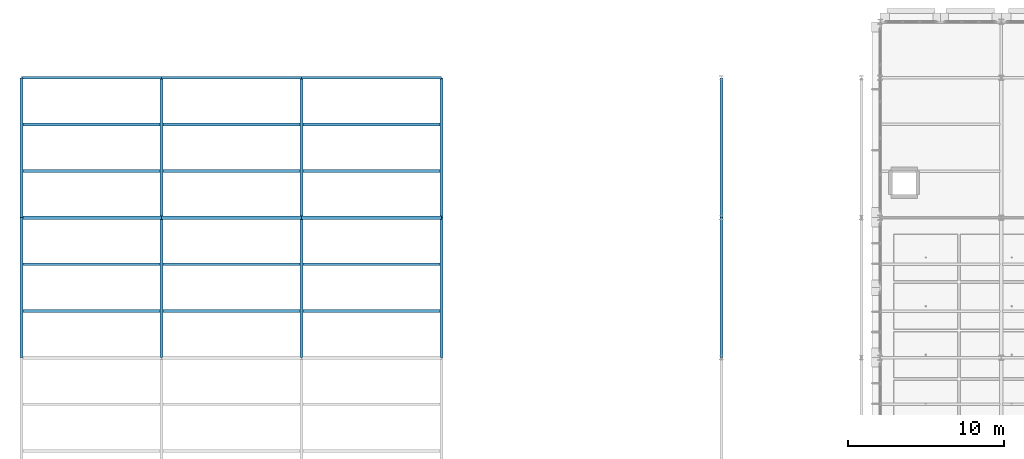
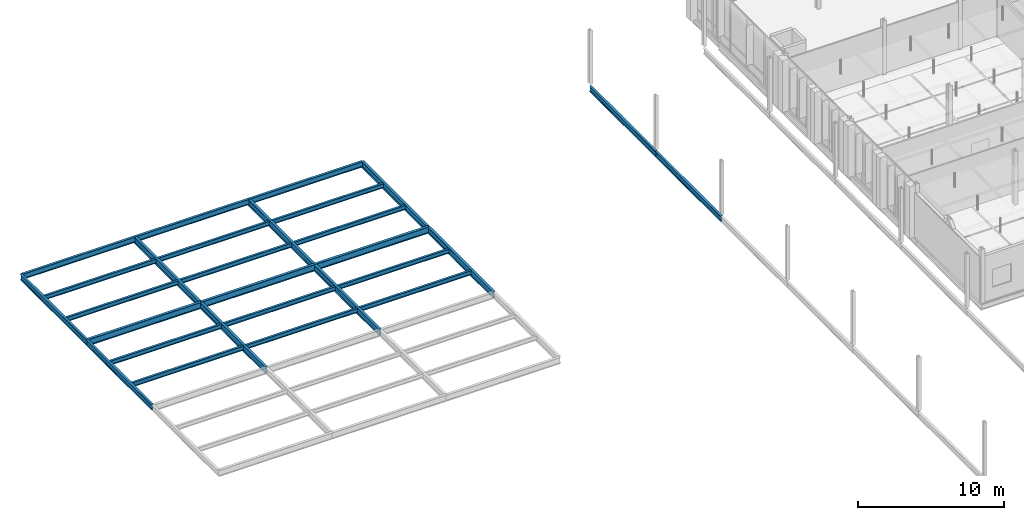
# One storey, part 33 of 130: 28 beams.
"""IFC4 building model written with IfcOpenShell, lengths in metres."""

from ifc_helpers import new_model, si_unit, direction, frame, origin, origin_2d, place, context, subcontext, project, spatial, i_section, extrude, material, material_profile, profile_set, type_object, element, save


model = new_model("IFC4")

# Units and contexts
model_context = context("Model", 3, precision=1e-05, world=origin(), true_north=direction((0.0, 1.0)))
body_context = subcontext(model_context, "Body", "Model", "MODEL_VIEW")
ifc_project = project(units=[si_unit("LENGTHUNIT", "METRE"), si_unit("AREAUNIT", "SQUARE_METRE"), si_unit("VOLUMEUNIT", "CUBIC_METRE"), si_unit("PLANEANGLEUNIT", "RADIAN"), si_unit("MASSUNIT", "GRAM", prefix="KILO"), si_unit("THERMODYNAMICTEMPERATUREUNIT", "KELVIN"), si_unit("POWERUNIT", "WATT")], contexts=[model_context])

# Site, building, storey
site_placement = place(None, origin())
site = spatial("IfcSite", under=ifc_project, at=site_placement, CompositionType="ELEMENT")
building_placement = place(site_placement, origin())
building = spatial("IfcBuilding", under=site, at=building_placement, Name="Tallowbark Science Centre", CompositionType="ELEMENT")
storey_placement = place(building_placement, frame((0.0, 0.0, 5.39990234375)))
storey = spatial("IfcBuildingStorey", under=building, at=storey_placement, Name="L01", CompositionType="ELEMENT", Elevation=5.39990234375)

# Beams
ifc_material = material(Name="Structural Steel Grade 300PLUS (300 MPa)", Category="steel")
ifc_material_profile_1 = material_profile(ifc_material, i_section(OverallWidth=0.208984375, OverallDepth=0.532958984375, WebThickness=0.01025390625, FlangeThickness=0.015625, FilletRadius=0.013916015625, at=origin_2d()), Name="530UB92.4")
ifc_profile_set_1 = profile_set([ifc_material_profile_1], Name="Structural Steel Grade 300PLUS (300 MPa)")
beam_type_1 = type_object("IfcBeamType", Name="BM-UB530A", PredefinedType="BEAM", material=ifc_profile_set_1)
for number, where, z_axis, x_axis, name in (
    (1, (0.0, 99.0, -0.4462890625), (1.0, 0.0, 0.0), (0.0, 1.0, 0.0), "Primary Girder GRDX-L01-0-90-990"),
    (2, (9.0, 99.0, -0.4462890625), (1.0, 0.0, 0.0), (0.0, 1.0, 0.0), "Primary Girder GRDX-L01-90-180-990"),
    (3, (18.0, 99.0, -0.4462890625), (1.0, 0.0, 0.0), (0.0, 1.0, 0.0), "Primary Girder GRDX-L01-180-270-990"),
):
    element("IfcBeam", number, at=place(storey_placement, frame(where, z_axis=z_axis, x_axis=x_axis)), inside=storey, type_object=beam_type_1, Name=name, PredefinedType="BEAM", context=body_context, shape_type="SweptSolid", body=[
        extrude(i_section(OverallWidth=0.208984375, OverallDepth=0.532958984375, WebThickness=0.01025390625, FlangeThickness=0.015625, FilletRadius=0.013916015625, at=origin_2d()), origin(), (0.0, 0.0, 1.0), 9.0),
    ])
ifc_material_profile_2 = material_profile(ifc_material, i_section(OverallWidth=0.208740234375, OverallDepth=0.5283203125, WebThickness=0.009521484375, FlangeThickness=0.01318359375, FilletRadius=0.013916015625, at=origin_2d()), Name="530UB82.0")
ifc_profile_set_2 = profile_set([ifc_material_profile_2], Name="Structural Steel Grade 300PLUS (300 MPa)")
beam_type_2 = type_object("IfcBeamType", Name="BM-UB530B", PredefinedType="BEAM", material=ifc_profile_set_2)
for number, where, z_axis, x_axis, name in (
    (4, (9.0, 90.0, -0.444091796875), (0.0, 1.0, 0.0), (-1.0, 0.0, 0.0), "Primary Girder GRDY-L01-90-900-990"),
    (5, (9.0, 99.0, -0.444091796875), (0.0, 1.0, 0.0), (-1.0, 0.0, 0.0), "Primary Girder GRDY-L01-90-990-1080"),
    (6, (18.0, 90.0, -0.444091796875), (0.0, 1.0, 0.0), (-1.0, 0.0, 0.0), "Primary Girder GRDY-L01-180-900-990"),
    (7, (18.0, 99.0, -0.444091796875), (0.0, 1.0, 0.0), (-1.0, 0.0, 0.0), "Primary Girder GRDY-L01-180-990-1080"),
    (8, (27.0, 90.0, -0.444091796875), (0.0, 1.0, 0.0), (-1.0, 0.0, 0.0), "Primary Girder GRDY-L01-270-900-990"),
    (9, (27.0, 99.0, -0.444091796875), (0.0, 1.0, 0.0), (-1.0, 0.0, 0.0), "Primary Girder GRDY-L01-270-990-1080"),
):
    element("IfcBeam", number, at=place(storey_placement, frame(where, z_axis=z_axis, x_axis=x_axis)), inside=storey, type_object=beam_type_2, Name=name, PredefinedType="BEAM", context=body_context, shape_type="SweptSolid", body=[
        extrude(i_section(OverallWidth=0.208740234375, OverallDepth=0.5283203125, WebThickness=0.009521484375, FlangeThickness=0.01318359375, FilletRadius=0.013916015625, at=origin_2d()), origin(), (0.0, 0.0, 1.0), 9.0),
    ])
ifc_material_profile_3 = material_profile(ifc_material, i_section(OverallWidth=0.172119140625, OverallDepth=0.358642578125, WebThickness=0.008056640625, FlangeThickness=0.012939453125, FilletRadius=0.011474609375, at=origin_2d()), Name="360UB56.7")
ifc_profile_set_3 = profile_set([ifc_material_profile_3], Name="Structural Steel Grade 300PLUS (300 MPa)")
beam_type_3 = type_object("IfcBeamType", Name="JST-UB360", PredefinedType="JOIST", material=ifc_profile_set_3)
for number, where, z_axis, x_axis, name in (
    (10, (0.0849609375, 93.0, -0.359130859375), (1.0, 0.0, 0.0), (0.0, 1.0, 0.0), "Composite Floor Joist JSTX-L01-0-930"),
    (11, (0.0849609375, 96.0, -0.359130859375), (1.0, 0.0, 0.0), (0.0, 1.0, 0.0), "Composite Floor Joist JSTX-L01-0-960"),
    (12, (9.0849609375, 93.0, -0.359130859375), (1.0, 0.0, 0.0), (0.0, 1.0, 0.0), "Composite Floor Joist JSTX-L01-90-930"),
    (13, (9.0849609375, 96.0, -0.359130859375), (1.0, 0.0, 0.0), (0.0, 1.0, 0.0), "Composite Floor Joist JSTX-L01-90-960"),
    (14, (18.0849609375, 93.0, -0.359130859375), (1.0, 0.0, 0.0), (0.0, 1.0, 0.0), "Composite Floor Joist JSTX-L01-180-930"),
    (15, (18.0849609375, 96.0, -0.359130859375), (1.0, 0.0, 0.0), (0.0, 1.0, 0.0), "Composite Floor Joist JSTX-L01-180-960"),
    (16, (0.0849609375, 102.0, -0.359130859375), (1.0, 0.0, 0.0), (0.0, 1.0, 0.0), "Composite Floor Joist JSTX-L01-0-1020"),
    (17, (0.0849609375, 105.0, -0.359130859375), (1.0, 0.0, 0.0), (0.0, 1.0, 0.0), "Composite Floor Joist JSTX-L01-0-1050"),
    (18, (9.0849609375, 102.0, -0.359130859375), (1.0, 0.0, 0.0), (0.0, 1.0, 0.0), "Composite Floor Joist JSTX-L01-90-1020"),
    (19, (9.0849609375, 105.0, -0.359130859375), (1.0, 0.0, 0.0), (0.0, 1.0, 0.0), "Composite Floor Joist JSTX-L01-90-1050"),
    (20, (18.0849609375, 102.0, -0.359130859375), (1.0, 0.0, 0.0), (0.0, 1.0, 0.0), "Composite Floor Joist JSTX-L01-180-1020"),
    (21, (18.0849609375, 105.0, -0.359130859375), (1.0, 0.0, 0.0), (0.0, 1.0, 0.0), "Composite Floor Joist JSTX-L01-180-1050"),
):
    element("IfcBeam", number, at=place(storey_placement, frame(where, z_axis=z_axis, x_axis=x_axis)), inside=storey, type_object=beam_type_3, Name=name, PredefinedType="JOIST", context=body_context, shape_type="SweptSolid", body=[
        extrude(i_section(OverallWidth=0.172119140625, OverallDepth=0.358642578125, WebThickness=0.008056640625, FlangeThickness=0.012939453125, FilletRadius=0.011474609375, at=origin_2d()), origin(), (0.0, 0.0, 1.0), 8.830078125),
    ])
ifc_material_profile_4 = material_profile(ifc_material, i_section(OverallWidth=0.18994140625, OverallDepth=0.453857421875, WebThickness=0.008544921875, FlangeThickness=0.0126953125, FilletRadius=0.011474609375, at=origin_2d()), Name="460UB67.1")
ifc_profile_set_4 = profile_set([ifc_material_profile_4], Name="Structural Steel Grade 300PLUS (300 MPa)")
beam_type_4 = type_object("IfcBeamType", Name="SPN-UB460", PredefinedType="SPANDREL", material=ifc_profile_set_4)
for number, where, z_axis, x_axis, name in (
    (22, (0.0, 108.0, -0.40673828125), (1.0, 0.0, 0.0), (0.0, 1.0, 0.0), "Primary Girder GRDX-L01-0-90-1080"),
    (23, (9.0, 108.0, -0.40673828125), (1.0, 0.0, 0.0), (0.0, 1.0, 0.0), "Primary Girder GRDX-L01-90-180-1080"),
    (24, (18.0, 108.0, -0.40673828125), (1.0, 0.0, 0.0), (0.0, 1.0, 0.0), "Primary Girder GRDX-L01-180-270-1080"),
    (25, (0.0, 90.0, -0.40673828125), (0.0, 1.0, 0.0), (-1.0, 0.0, 0.0), "Primary Girder GRDY-L01-0-900-990"),
    (26, (0.0, 99.0, -0.40673828125), (0.0, 1.0, 0.0), (-1.0, 0.0, 0.0), "Primary Girder GRDY-L01-0-990-1080"),
    (27, (45.0, 90.0, -0.40673828125), (0.0, 1.0, 0.0), (-1.0, 0.0, 0.0), "Primary Girder GRDY-L01-450-900-990"),
    (28, (45.0, 99.0, -0.40673828125), (0.0, 1.0, 0.0), (-1.0, 0.0, 0.0), "Primary Girder GRDY-L01-450-990-1080"),
):
    element("IfcBeam", number, at=place(storey_placement, frame(where, z_axis=z_axis, x_axis=x_axis)), inside=storey, type_object=beam_type_4, Name=name, PredefinedType="SPANDREL", context=body_context, shape_type="SweptSolid", body=[
        extrude(i_section(OverallWidth=0.18994140625, OverallDepth=0.453857421875, WebThickness=0.008544921875, FlangeThickness=0.0126953125, FilletRadius=0.011474609375, at=origin_2d()), origin(), (0.0, 0.0, 1.0), 9.0),
    ])

save(model, "model.ifc")
